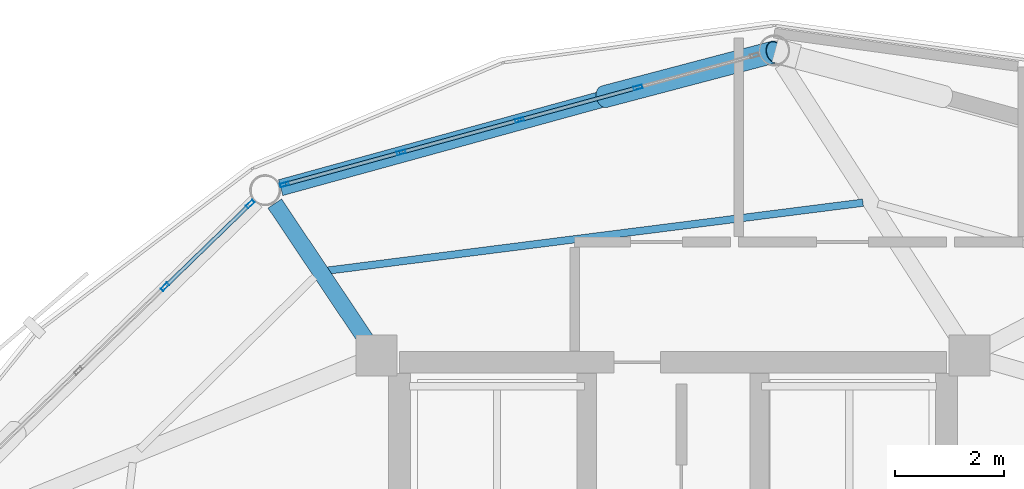
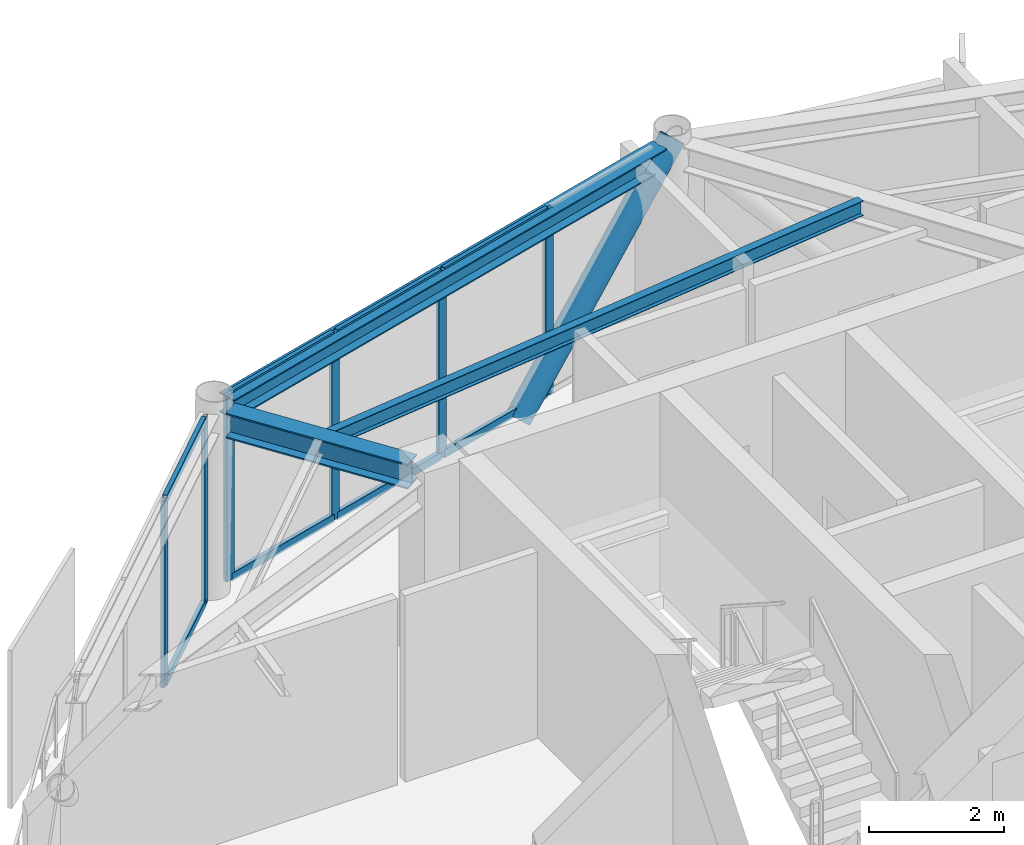
# One storey, part 18 of 27: 15 members, 3 beams, 2 elements without a shape of their own.
"""IFC4 building model written with IfcOpenShell, lengths in metres."""

from ifc_helpers import new_model, si_unit, direction, frame, origin, origin_2d, place, context, subcontext, project, spatial, hollow_rectangle, hollow_circle, i_section, extrude, material, layer, layer_set, material_profile, profile_set, type_object, element, aggregate, save


model = new_model("IFC4")

# Units and contexts
model_context = context("Model", 3, precision=1e-05, world=origin(), true_north=direction((0.0, 1.0)))
body_context = subcontext(model_context, "Body", "Model", "MODEL_VIEW")
ifc_project = project(units=[si_unit("LENGTHUNIT", "METRE"), si_unit("AREAUNIT", "SQUARE_METRE"), si_unit("VOLUMEUNIT", "CUBIC_METRE"), si_unit("PLANEANGLEUNIT", "RADIAN"), si_unit("MASSUNIT", "GRAM", prefix="KILO")], contexts=[model_context])

# Site, building, storey
site_placement = place(None, origin())
site = spatial("IfcSite", under=ifc_project, at=site_placement, CompositionType="ELEMENT")
building_placement = place(site_placement, origin())
building = spatial("IfcBuilding", under=site, at=building_placement, Name="Varnakorn Sky Granary", CompositionType="ELEMENT")
storey_placement = place(building_placement, frame((0.0, 0.0, 232.800048828125)))
storey = spatial("IfcBuildingStorey", under=building, at=storey_placement, Name="L59", CompositionType="ELEMENT", Elevation=232.800048828125)

# Beams
ifc_material_1 = material(Name="Steel S355JR", Category="steel")
ifc_material_profile_1 = material_profile(ifc_material_1, i_section(OverallWidth=0.300048828125, OverallDepth=0.449951171875, WebThickness=0.013916015625, FlangeThickness=0.02587890625, at=origin_2d()), Name="HE 450 B")
ifc_profile_set_1 = profile_set([ifc_material_profile_1], Name="Steel S355JR")
beam_type_1 = type_object("IfcBeamType", Name="BM-RAD-Z5", PredefinedType="BEAM", material=ifc_profile_set_1)
beam_1_placement = place(storey_placement, frame((-2.61767578125, 12.914794921875, 3.135009765625), z_axis=(-0.556542729236, 0.830818987828, 0.0), x_axis=(-0.830818987828, -0.556542729236, 0.0)))
element("IfcBeam", 1, at=beam_1_placement, inside=storey, type_object=beam_type_1, Name="Radial Floor Girder RG05 L59", PredefinedType="BEAM", context=body_context, shape_type="SweptSolid", body=[
    extrude(i_section(OverallWidth=0.300048828125, OverallDepth=0.449951171875, WebThickness=0.013916015625, FlangeThickness=0.02587890625, at=origin_2d()), origin(), (0.0, 0.0, 1.0), 2.994384765625),
])
ifc_material_profile_2 = material_profile(ifc_material_1, i_section(OverallWidth=0.135009765625, OverallDepth=0.27001953125, WebThickness=0.006591796875, FlangeThickness=0.01025390625, at=origin_2d()), Name="IPE 270")
ifc_profile_set_2 = profile_set([ifc_material_profile_2], Name="Steel S355JR")
beam_type_2 = type_object("IfcBeamType", Name="BM-SEC-Z5", PredefinedType="BEAM", material=ifc_profile_set_2)
beam_2_placement = place(storey_placement, frame((6.4716796875, 15.41748046875, 3.224853515625), z_axis=(-0.992048454149, -0.125856523953, 0.0), x_axis=(0.125856523953, -0.992048454149, 0.0)))
element("IfcBeam", 2, at=beam_2_placement, inside=storey, type_object=beam_type_2, Name="Secondary Floor Chord Beam MSB04 L59", PredefinedType="BEAM", context=body_context, shape_type="SweptSolid", body=[
    extrude(i_section(OverallWidth=0.135009765625, OverallDepth=0.27001953125, WebThickness=0.006591796875, FlangeThickness=0.01025390625, at=origin_2d()), origin(), (0.0, 0.0, 1.0), 9.862060546875),
])
ifc_material_profile_3 = material_profile(ifc_material_1, i_section(OverallWidth=0.300048828125, OverallDepth=0.360107421875, WebThickness=0.012451171875, FlangeThickness=0.0224609375, at=origin_2d()), Name="HE 360 B")
ifc_profile_set_3 = profile_set([ifc_material_profile_3], Name="Steel S355JR")
beam_type_3 = type_object("IfcBeamType", Name="BM-SPD-Z5", PredefinedType="SPANDREL", material=ifc_profile_set_3)
beam_3_placement = place(storey_placement, frame((4.594970703125, 18.10400390625, 3.179931640625), z_axis=(-0.964220486404, -0.26510159109, 0.0), x_axis=(0.26510159109, -0.964220486404, 0.0)))
element("IfcBeam", 3, at=beam_3_placement, inside=storey, type_object=beam_type_3, Name="Perimeter Spandrel Ring Beam RB04 L59", PredefinedType="SPANDREL", context=body_context, shape_type="SweptSolid", body=[
    extrude(i_section(OverallWidth=0.300048828125, OverallDepth=0.360107421875, WebThickness=0.012451171875, FlangeThickness=0.0224609375, at=origin_2d()), origin(), (0.0, 0.0, 1.0), 9.096923828125),
])

# Curtain wall, members
ifc_material_2 = material(Name="Anodised Bronze Aluminium Alloy 6063-T6", Category="aluminium")
ifc_layer = layer(ifc_material_2, 0.169921875, Name="Anodised Bronze Aluminium Alloy 6063-T6")
ifc_layer_set = layer_set([ifc_layer], Name="Anodised Bronze Aluminium Alloy 6063-T6")
curtain_wall_type = type_object("IfcCurtainWallType", Name="CW-LAB-1", PredefinedType="USERDEFINED", material=ifc_layer_set)
curtain_wall_1_placement = place(storey_placement, origin())
curtain_wall_1 = element("IfcCurtainWall", 4, at=curtain_wall_1_placement, inside=storey, type_object=curtain_wall_type, Name="Unitised Curtain Wall CW5 CW-L59-B04", ObjectType="CURTAIN WALL", PredefinedType="USERDEFINED")
ifc_material_profile_4 = material_profile(ifc_material_2, hollow_rectangle(XDim=0.06494140625, YDim=0.159912109375, WallThickness=0.00341796875, at=origin_2d()), Name="ALU MULL 65x160")
ifc_profile_set_4 = profile_set([ifc_material_profile_4], Name="Anodised Bronze Aluminium Alloy 6063-T6")
member_type_1 = type_object("IfcMemberType", Name="CW-LAB-1-MULL", PredefinedType="MULLION", material=ifc_profile_set_4)
member_1_placement = place(storey_placement, frame((-4.106689453125, 15.75, 0.0), z_axis=(0.0, 0.0, 1.0), x_axis=(-0.26463962686, 0.964347379265, 0.0)))
member_1 = element("IfcMember", 5, at=member_1_placement, type_object=member_type_1, Name="CW5 mullion 1", PredefinedType="MULLION", context=body_context, shape_type="SweptSolid", body=[
    extrude(hollow_rectangle(XDim=0.06494140625, YDim=0.159912109375, WallThickness=0.00341796875, at=origin_2d()), origin(), (0.0, 0.0, 1.0), 3.35986328125),
])
member_2_placement = place(storey_placement, frame((-1.972900390625, 16.335693359375, 0.0), z_axis=(0.0, 0.0, 1.0), x_axis=(-0.26463962686, 0.964347379265, 0.0)))
member_2 = element("IfcMember", 6, at=member_2_placement, type_object=member_type_1, Name="CW5 mullion 2", PredefinedType="MULLION", context=body_context, shape_type="SweptSolid", body=[
    extrude(hollow_rectangle(XDim=0.06494140625, YDim=0.159912109375, WallThickness=0.00341796875, at=origin_2d()), origin(), (0.0, 0.0, 1.0), 3.35986328125),
])
member_3_placement = place(storey_placement, frame((0.192138671875, 16.929931640625, 0.0), z_axis=(0.0, 0.0, 1.0), x_axis=(-0.26463962686, 0.964347379265, 0.0)))
member_3 = element("IfcMember", 7, at=member_3_placement, type_object=member_type_1, Name="CW5 mullion 3", PredefinedType="MULLION", context=body_context, shape_type="SweptSolid", body=[
    extrude(hollow_rectangle(XDim=0.06494140625, YDim=0.159912109375, WallThickness=0.00341796875, at=origin_2d()), origin(), (0.0, 0.0, 1.0), 3.35986328125),
])
member_4_placement = place(storey_placement, frame((2.357421875, 17.52392578125, 0.0), z_axis=(0.0, 0.0, 1.0), x_axis=(-0.26463962686, 0.964347379265, 0.0)))
member_4 = element("IfcMember", 8, at=member_4_placement, type_object=member_type_1, Name="CW5 mullion 4", PredefinedType="MULLION", context=body_context, shape_type="SweptSolid", body=[
    extrude(hollow_rectangle(XDim=0.06494140625, YDim=0.159912109375, WallThickness=0.00341796875, at=origin_2d()), origin(), (0.0, 0.0, 1.0), 3.35986328125),
])

curtain_wall_2_placement = place(storey_placement, origin())
curtain_wall_2 = element("IfcCurtainWall", 9, at=curtain_wall_2_placement, inside=storey, type_object=curtain_wall_type, Name="Unitised Curtain Wall CW5 CW-L59-B05", ObjectType="CURTAIN WALL", PredefinedType="USERDEFINED")
member_5_placement = place(storey_placement, frame((-6.292236328125, 13.879638671875, 0.0), z_axis=(0.0, 0.0, 1.0), x_axis=(-0.696278954574, 0.717771284893, 0.0)))
member_5 = element("IfcMember", 10, at=member_5_placement, type_object=member_type_1, Name="CW5 mullion 4", PredefinedType="MULLION", context=body_context, shape_type="SweptSolid", body=[
    extrude(hollow_rectangle(XDim=0.06494140625, YDim=0.159912109375, WallThickness=0.00341796875, at=origin_2d()), origin(), (0.0, 0.0, 1.0), 3.35986328125),
])
member_6_placement = place(storey_placement, frame((-4.732421875, 15.392578125, 0.0), z_axis=(0.0, 0.0, 1.0), x_axis=(-0.696278954574, 0.717771284893, 0.0)))
member_6 = element("IfcMember", 11, at=member_6_placement, type_object=member_type_1, Name="CW5 mullion 5", PredefinedType="MULLION", context=body_context, shape_type="SweptSolid", body=[
    extrude(hollow_rectangle(XDim=0.06494140625, YDim=0.159912109375, WallThickness=0.00341796875, at=origin_2d()), origin(), (0.0, 0.0, 1.0), 3.35986328125),
])

# Member
ifc_material_profile_5 = material_profile(ifc_material_2, hollow_rectangle(XDim=0.070068359375, YDim=0.139892578125, WallThickness=0.00341796875, at=origin_2d()), Name="ALU TRAN 70x140")
ifc_profile_set_5 = profile_set([ifc_material_profile_5], Name="Anodised Bronze Aluminium Alloy 6063-T6")
member_type_2 = type_object("IfcMemberType", Name="CW-LAB-1-TRAN", PredefinedType="USERDEFINED", material=ifc_profile_set_5)
member_7_placement = place(storey_placement, frame((-4.075439453125, 15.7587890625, 0.034912109375), z_axis=(0.9643534522, 0.264617496077, 0.0), x_axis=(-0.264617496077, 0.9643534522, 0.0)))
member_7 = element("IfcMember", 12, at=member_7_placement, type_object=member_type_2, Name="CW5 transom 1.1", ObjectType="TRANSOM", PredefinedType="USERDEFINED", context=body_context, shape_type="SweptSolid", body=[
    extrude(hollow_rectangle(XDim=0.070068359375, YDim=0.139892578125, WallThickness=0.00341796875, at=origin_2d()), origin(), (0.0, 0.0, 1.0), 2.14794921875),
])

member_8_placement = place(storey_placement, frame((-4.075439453125, 15.7587890625, 3.324951171875), z_axis=(0.9643534522, 0.264617496077, 0.0), x_axis=(-0.264617496077, 0.9643534522, 0.0)))
member_8 = element("IfcMember", 13, at=member_8_placement, type_object=member_type_2, Name="CW5 transom 1.2", ObjectType="TRANSOM", PredefinedType="USERDEFINED", context=body_context, shape_type="SweptSolid", body=[
    extrude(hollow_rectangle(XDim=0.070068359375, YDim=0.139892578125, WallThickness=0.00341796875, at=origin_2d()), origin(), (0.0, 0.0, 1.0), 2.14794921875),
])

member_9_placement = place(storey_placement, frame((-1.941650390625, 16.34423828125, 0.034912109375), z_axis=(0.964356968435, 0.264604681423, 0.0), x_axis=(-0.264604681423, 0.964356968435, 0.0)))
member_9 = element("IfcMember", 14, at=member_9_placement, type_object=member_type_2, Name="CW5 transom 2.1", ObjectType="TRANSOM", PredefinedType="USERDEFINED", context=body_context, shape_type="SweptSolid", body=[
    extrude(hollow_rectangle(XDim=0.070068359375, YDim=0.139892578125, WallThickness=0.00341796875, at=origin_2d()), origin(), (0.0, 0.0, 1.0), 2.18017578125),
])

member_10_placement = place(storey_placement, frame((-1.941650390625, 16.34423828125, 3.324951171875), z_axis=(0.964356968435, 0.264604681423, 0.0), x_axis=(-0.264604681423, 0.964356968435, 0.0)))
member_10 = element("IfcMember", 15, at=member_10_placement, type_object=member_type_2, Name="CW5 transom 2.2", ObjectType="TRANSOM", PredefinedType="USERDEFINED", context=body_context, shape_type="SweptSolid", body=[
    extrude(hollow_rectangle(XDim=0.070068359375, YDim=0.139892578125, WallThickness=0.00341796875, at=origin_2d()), origin(), (0.0, 0.0, 1.0), 2.18017578125),
])

member_11_placement = place(storey_placement, frame((0.2236328125, 16.9384765625, 0.034912109375), z_axis=(0.964356968435, 0.264604681423, 0.0), x_axis=(-0.264604681423, 0.964356968435, 0.0)))
member_11 = element("IfcMember", 16, at=member_11_placement, type_object=member_type_2, Name="CW5 transom 3.1", ObjectType="TRANSOM", PredefinedType="USERDEFINED", context=body_context, shape_type="SweptSolid", body=[
    extrude(hollow_rectangle(XDim=0.070068359375, YDim=0.139892578125, WallThickness=0.00341796875, at=origin_2d()), origin(), (0.0, 0.0, 1.0), 2.18017578125),
])

member_12_placement = place(storey_placement, frame((0.2236328125, 16.9384765625, 3.324951171875), z_axis=(0.964356968435, 0.264604681423, 0.0), x_axis=(-0.264604681423, 0.964356968435, 0.0)))
member_12 = element("IfcMember", 17, at=member_12_placement, type_object=member_type_2, Name="CW5 transom 3.2", ObjectType="TRANSOM", PredefinedType="USERDEFINED", context=body_context, shape_type="SweptSolid", body=[
    extrude(hollow_rectangle(XDim=0.070068359375, YDim=0.139892578125, WallThickness=0.00341796875, at=origin_2d()), origin(), (0.0, 0.0, 1.0), 2.18017578125),
])

aggregate(curtain_wall_1, [member_1, member_2, member_3, member_4, member_7, member_8, member_9, member_10, member_11, member_12])

member_13_placement = place(storey_placement, frame((-6.268798828125, 13.90234375, 0.034912109375), z_axis=(0.717739003955, 0.696312230398, 0.0), x_axis=(-0.696312230398, 0.717739003955, 0.0)))
member_13 = element("IfcMember", 18, at=member_13_placement, type_object=member_type_2, Name="CW5 transom 4.1", ObjectType="TRANSOM", PredefinedType="USERDEFINED", context=body_context, shape_type="SweptSolid", body=[
    extrude(hollow_rectangle(XDim=0.070068359375, YDim=0.139892578125, WallThickness=0.00341796875, at=origin_2d()), origin(), (0.0, 0.0, 1.0), 2.10791015625),
])

member_14_placement = place(storey_placement, frame((-6.268798828125, 13.90234375, 3.324951171875), z_axis=(0.717739003955, 0.696312230398, 0.0), x_axis=(-0.696312230398, 0.717739003955, 0.0)))
member_14 = element("IfcMember", 19, at=member_14_placement, type_object=member_type_2, Name="CW5 transom 4.2", ObjectType="TRANSOM", PredefinedType="USERDEFINED", context=body_context, shape_type="SweptSolid", body=[
    extrude(hollow_rectangle(XDim=0.070068359375, YDim=0.139892578125, WallThickness=0.00341796875, at=origin_2d()), origin(), (0.0, 0.0, 1.0), 2.10791015625),
])

aggregate(curtain_wall_2, [member_5, member_6, member_13, member_14])

ifc_material_3 = material(Name="Steel S460M", Category="steel")
ifc_material_profile_6 = material_profile(ifc_material_3, hollow_circle(Radius=0.203125, WallThickness=0.01611328125, at=origin_2d()), Name="CHS 406.4x16")
ifc_profile_set_6 = profile_set([ifc_material_profile_6], Name="Steel S460M")
member_type_3 = type_object("IfcMemberType", Name="MB-DIAG-T4", PredefinedType="BRACE", material=ifc_profile_set_6)
member_15_placement = place(storey_placement, frame((1.744873046875, 17.35595703125, -0.130126953125), z_axis=(0.654758670223, 0.172505409538, 0.735889235855), x_axis=(-0.254770220277, 0.967001620919, 0.0)))
element("IfcMember", 20, at=member_15_placement, inside=storey, type_object=member_type_3, Name="Perimeter CHS Diagrid Brace DG04 L59", PredefinedType="BRACE", context=body_context, shape_type="SweptSolid", body=[
    extrude(hollow_circle(Radius=0.203125, WallThickness=0.01611328125, at=origin_2d()), origin(), (0.0, 0.0, 1.0), 4.742431640625),
])

save(model, "model.ifc")
